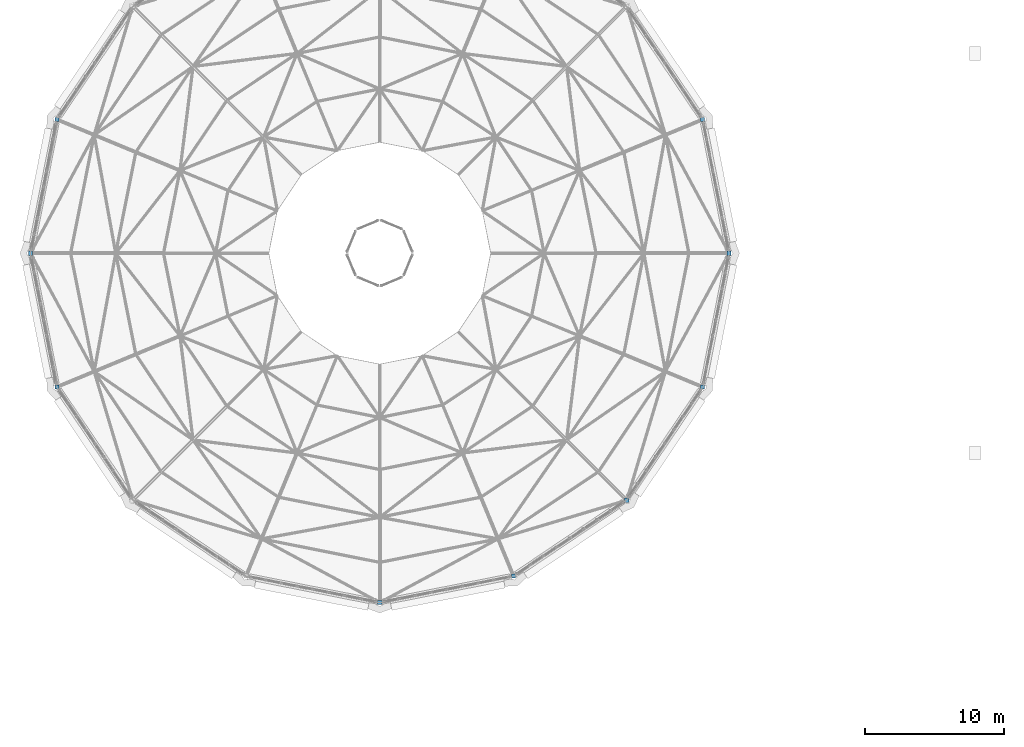
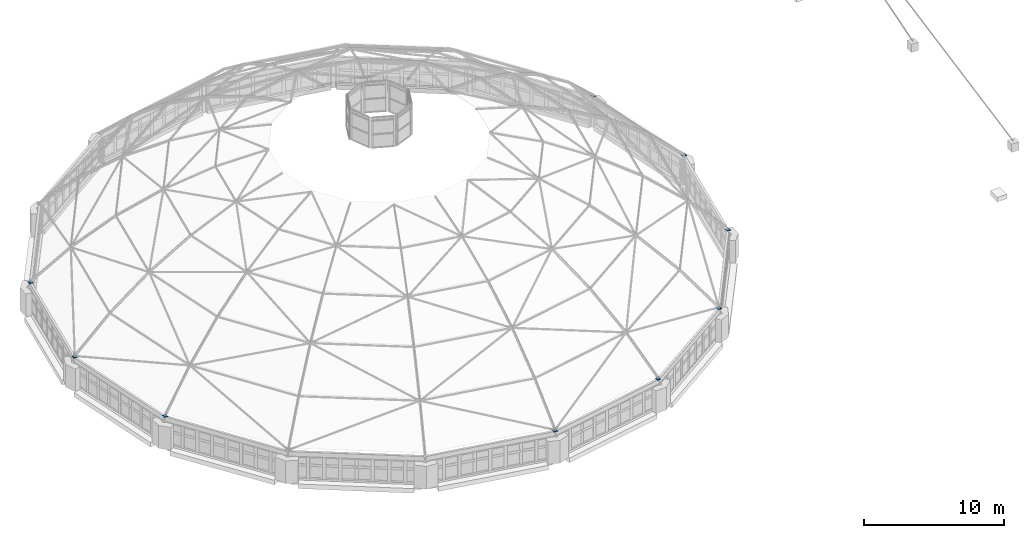
# One storey, part 54 of 68: 9 discrete accessories.
"""IFC4 building model written with IfcOpenShell, lengths in metres."""

from ifc_helpers import new_model, si_unit, direction, frame, origin, origin_2d, place, context, subcontext, project, spatial, rectangle, extrude, material, layer, layer_set, type_object, element, save


model = new_model("IFC4")

# Units and contexts
model_context = context("Model", 3, precision=1e-05, world=origin(), true_north=direction((0.0, 1.0)))
body_context = subcontext(model_context, "Body", "Model", "MODEL_VIEW")
ifc_project = project(units=[si_unit("LENGTHUNIT", "METRE"), si_unit("AREAUNIT", "SQUARE_METRE"), si_unit("VOLUMEUNIT", "CUBIC_METRE"), si_unit("PLANEANGLEUNIT", "RADIAN"), si_unit("MASSUNIT", "GRAM", prefix="KILO")], contexts=[model_context])

# Site, building, storey
site_placement = place(None, origin())
site = spatial("IfcSite", under=ifc_project, at=site_placement, CompositionType="ELEMENT")
building_placement = place(site_placement, origin())
building = spatial("IfcBuilding", under=site, at=building_placement, Name="Kupolbacken Congress Centre", CompositionType="ELEMENT")
storey_placement = place(building_placement, frame((0.0, 0.0, 25.199951171875)))
storey = spatial("IfcBuildingStorey", under=building, at=storey_placement, Name="L07", CompositionType="ELEMENT", Elevation=25.199951171875)

# Discrete accessories
ifc_material = material(Name="Steel S355", Category="steel")
ifc_layer = layer(ifc_material, 0.011962890625)
ifc_layer_set = layer_set([ifc_layer], Name="Steel S355")
discrete_accessory_type = type_object("IfcDiscreteAccessoryType", Name="BK5 rib foot plate 300 x 300 x 12", PredefinedType="BRACKET", material=ifc_layer_set)
for number, where, z_axis, x_axis, name in (
    (1, (68.39990234375, 86.39990234375, 2.7900390625), (0.0, 0.0, 1.0), (1.0, 0.0, 0.0), "Dome rib foot plate RIB01-01"),
    (2, (66.481689453125, 96.043701171875, 2.7900390625), (0.0, 0.0, 1.0), (1.0, 0.0, 0.0), "Dome rib foot plate RIB01-02"),
    (3, (19.918212890625, 96.043701171875, 2.7900390625), (0.0, 0.0, 1.0), (1.0, 0.0, 0.0), "Dome rib foot plate RIB01-08"),
    (4, (18.0, 86.39990234375, 2.7900390625), (0.0, 0.0, 1.0), (1.0, 0.0, 0.0), "Dome rib foot plate RIB01-09"),
    (5, (19.918212890625, 76.75634765625, 2.7900390625), (0.0, 0.0, 1.0), (1.0, 0.0, 0.0), "Dome rib foot plate RIB01-10"),
    (6, (43.199951171875, 61.199951171875, 2.7900390625), (0.0, 0.0, 1.0), (1.0, 0.0, 0.0), "Dome rib foot plate RIB01-13"),
    (7, (52.843505859375, 63.1181640625, 2.7900390625), (0.0, 0.0, 1.0), (1.0, 0.0, 0.0), "Dome rib foot plate RIB01-14"),
    (8, (61.01904296875, 68.580810546875, 2.7900390625), (0.0, 0.0, 1.0), (1.0, 0.0, 0.0), "Dome rib foot plate RIB01-15"),
    (9, (66.481689453125, 76.75634765625, 2.7900390625), (0.0, 0.0, 1.0), (1.0, 0.0, 0.0), "Dome rib foot plate RIB01-16"),
):
    element("IfcDiscreteAccessory", number, at=place(storey_placement, frame(where, z_axis=z_axis, x_axis=x_axis)), inside=storey, type_object=discrete_accessory_type, Name=name, PredefinedType="BRACKET", context=body_context, shape_type="SweptSolid", body=[
        extrude(rectangle(XDim=0.300048828125, YDim=0.300048828125, at=origin_2d()), origin(), (0.0, 0.0, 1.0), 0.011962890625),
    ])

save(model, "model.ifc")
